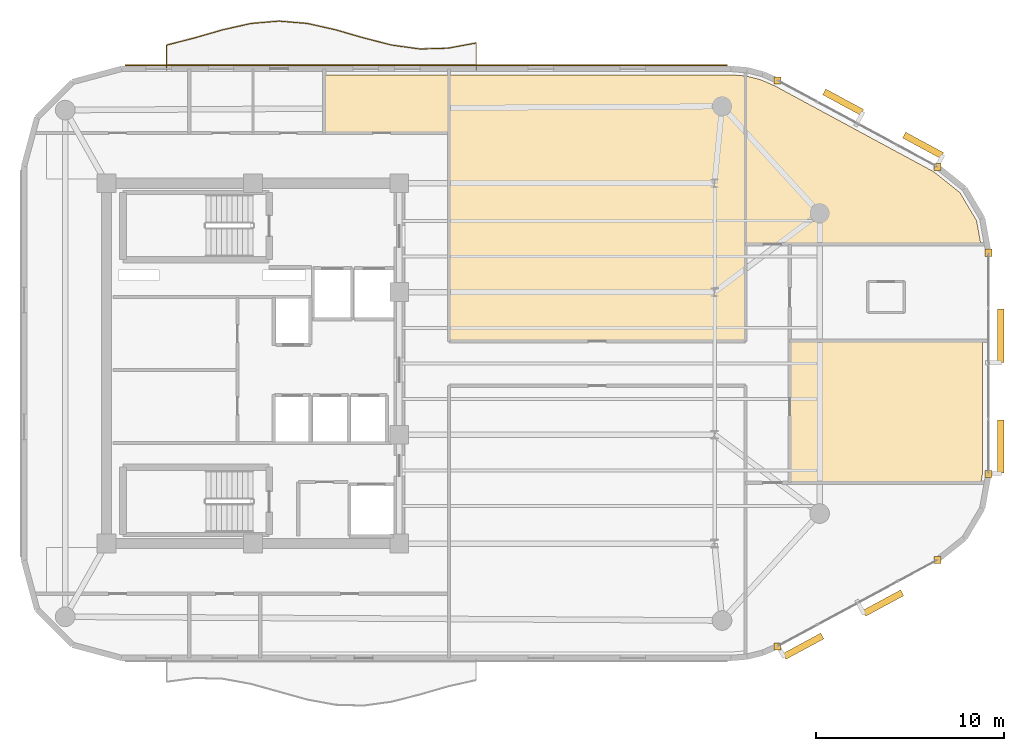
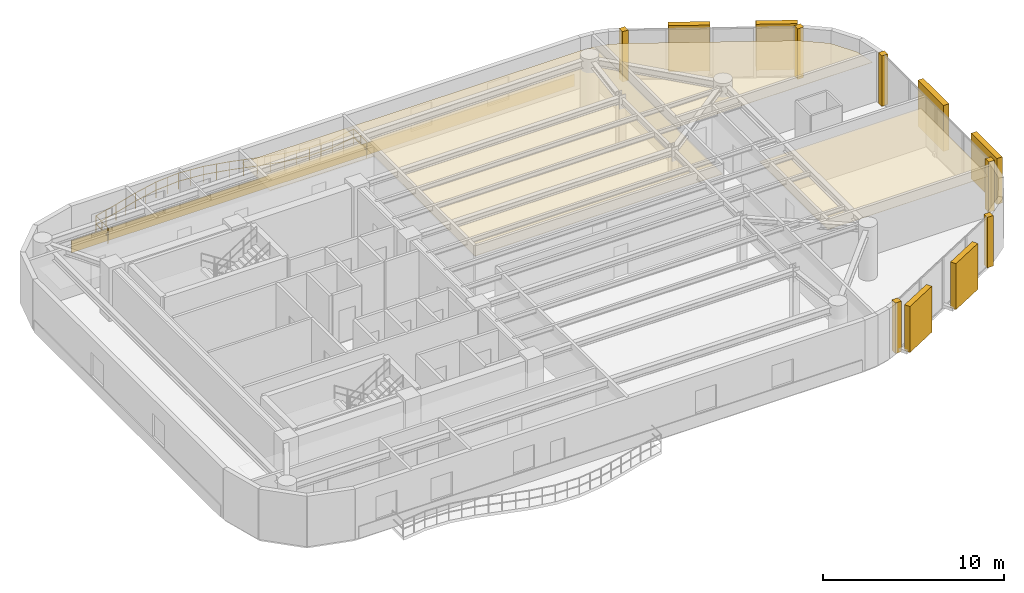
# One storey, part 13 of 13: 11 coverings, 6 shading devices, 1 railing.
"""IFC4 building model written with IfcOpenShell, lengths in metres."""

from ifc_helpers import new_model, si_unit, direction, frame, origin, origin_2d, place, context, subcontext, project, spatial, polyline, rectangle, circle, outline, extrude, material, layer, layer_set, type_object, element, save


model = new_model("IFC4")

# Units and contexts
model_context = context("Model", 3, precision=1e-05, world=origin(), true_north=direction((0.0, 1.0)))
body_context = subcontext(model_context, "Body", "Model", "MODEL_VIEW")
ifc_project = project(units=[si_unit("LENGTHUNIT", "METRE"), si_unit("AREAUNIT", "SQUARE_METRE"), si_unit("VOLUMEUNIT", "CUBIC_METRE"), si_unit("PLANEANGLEUNIT", "RADIAN"), si_unit("MASSUNIT", "GRAM", prefix="KILO")], contexts=[model_context])

# Site, building, storey
site_placement = place(None, origin())
site = spatial("IfcSite", under=ifc_project, at=site_placement, CompositionType="ELEMENT")
building_placement = place(site_placement, origin())
building = spatial("IfcBuilding", under=site, at=building_placement, Name="An Khanh Terracotta Commons", CompositionType="ELEMENT")
storey_placement = place(building_placement, frame((0.0, 0.0, 226.5)))
storey = spatial("IfcBuildingStorey", under=building, at=storey_placement, Name="L59", CompositionType="ELEMENT", Elevation=226.5)

# Coverings
ifc_material_1 = material(Name="Perforated Mineral-Fibre Acoustic Tile")
ifc_layer_1 = layer(ifc_material_1, 0.02001953125, Name="Perforated Mineral-Fibre Acoustic Tile")
ifc_layer_set_1 = layer_set([ifc_layer_1], Name="Perforated Mineral-Fibre Acoustic Tile")
covering_type_1 = type_object("IfcCoveringType", Name="CEIL-ACOUSTIC-18", PredefinedType="CEILING", material=ifc_layer_set_1)
covering_1_placement = place(storey_placement, frame((0.0, 0.0, 2.64990234375)))
element("IfcCovering", 1, at=covering_1_placement, inside=storey, type_object=covering_type_1, Name="L59 Student Reading Library Ceiling", PredefinedType="CEILING", context=body_context, shape_type="SweptSolid", body=[
    extrude(outline(polyline([(54.8720703125, 39.3798828125), (55.64990234375, 39.31494140625), (55.64990234375, 30.35009765625), (55.64990234375, 25.179931640625), (39.85009765625, 25.179931640625), (39.85009765625, 33.820068359375), (39.85009765625, 36.280029296875), (39.85009765625, 39.3798828125), (54.8720703125, 39.3798828125)])), origin(), (0.0, 0.0, 1.0), 0.02001953125),
])
covering_2_placement = place(storey_placement, frame((0.0, 0.0, 2.64990234375)))
element("IfcCovering", 2, at=covering_2_placement, inside=storey, type_object=covering_type_1, Name="L59 Music Practice Hall Ceiling", PredefinedType="CEILING", context=body_context, shape_type="SweptSolid", body=[
    extrude(outline(polyline([(55.68701171875, 39.31201171875), (56.467041015625, 39.114990234375), (57.217041015625, 38.787109375), (65.695068359375, 34.2060546875), (67.074951171875, 33.10205078125), (67.964111328125, 31.610107421875), (68.193115234375, 30.35009765625), (58.0, 30.35009765625), (55.64990234375, 30.35009765625), (55.64990234375, 39.31494140625), (55.68701171875, 39.31201171875)])), origin(), (0.0, 0.0, 1.0), 0.02001953125),
])
covering_3_placement = place(storey_placement, frame((0.0, 0.0, 2.64990234375)))
element("IfcCovering", 3, at=covering_3_placement, inside=storey, type_object=covering_type_1, Name="L59 Riverfront Study Lounge Ceiling", PredefinedType="CEILING", context=body_context, shape_type="SweptSolid", body=[
    extrude(outline(polyline([(68.280029296875, 18.1298828125), (68.193115234375, 17.64990234375), (58.0, 17.64990234375), (58.0, 22.820068359375), (58.0, 25.179931640625), (58.0, 25.199951171875), (68.280029296875, 25.199951171875), (68.280029296875, 18.1298828125)])), origin(), (0.0, 0.0, 1.0), 0.02001953125),
])
covering_4_placement = place(storey_placement, frame((0.0, 0.0, 2.64990234375)))
element("IfcCovering", 4, at=covering_4_placement, inside=storey, type_object=covering_type_1, Name="L59 Academic Seminar Room Ceiling", PredefinedType="CEILING", context=body_context, shape_type="SweptSolid", body=[
    extrude(outline(polyline([(39.85009765625, 39.3798828125), (39.85009765625, 36.280029296875), (37.5, 36.280029296875), (33.199951171875, 36.280029296875), (33.199951171875, 39.35009765625), (33.199951171875, 39.3798828125), (39.85009765625, 39.3798828125)])), origin(), (0.0, 0.0, 1.0), 0.02001953125),
])
ifc_material_2 = material(Name="Fired Terracotta Rainscreen Cladding", Category="masonry")
ifc_layer_2 = layer(ifc_material_2, 0.080078125, Name="Fired Terracotta Rainscreen Cladding")
ifc_layer_set_2 = layer_set([ifc_layer_2], Name="Fired Terracotta Rainscreen Cladding")
covering_type_2 = type_object("IfcCoveringType", Name="COV-JAMB-TERRA", PredefinedType="CLADDING", material=ifc_layer_set_2)
for number, where, z_axis, x_axis, name in (
    (5, (57.35693359375, 8.925048828125, 0.0), (0.0, 0.0, 1.0), (1.0, 0.0, 0.0), "L59 CW-03 Curtain-Wall Jamb Closure JA"),
    (6, (65.8720703125, 13.52587890625, 0.0), (0.0, 0.0, 1.0), (1.0, 0.0, 0.0), "L59 CW-03 Curtain-Wall Jamb Closure JB"),
    (7, (68.60009765625, 18.10107421875, 0.0), (0.0, 0.0, 1.0), (1.0, 0.0, 0.0), "L59 CW-03 Curtain-Wall Jamb Closure JA"),
    (8, (68.60009765625, 29.89892578125, 0.0), (0.0, 0.0, 1.0), (1.0, 0.0, 0.0), "L59 CW-03 Curtain-Wall Jamb Closure JB"),
    (9, (65.8720703125, 34.47412109375, 0.0), (0.0, 0.0, 1.0), (1.0, 0.0, 0.0), "L59 CW-03 Curtain-Wall Jamb Closure JA"),
    (10, (57.35693359375, 39.074951171875, 0.0), (0.0, 0.0, 1.0), (1.0, 0.0, 0.0), "L59 CW-03 Curtain-Wall Jamb Closure JB"),
):
    element("IfcCovering", number, at=place(storey_placement, frame(where, z_axis=z_axis, x_axis=x_axis)), inside=storey, type_object=covering_type_2, Name=name, PredefinedType="CLADDING", context=body_context, shape_type="SweptSolid", body=[
        extrude(rectangle(XDim=0.3798828125, YDim=0.3798828125, at=origin_2d()), origin(), (0.0, 0.0, 1.0), 3.39990234375),
    ])
ifc_layer_3 = layer(ifc_material_2, 0.06005859375, Name="Fired Terracotta Rainscreen Cladding")
ifc_layer_set_3 = layer_set([ifc_layer_3], Name="Fired Terracotta Rainscreen Cladding")
covering_type_3 = type_object("IfcCoveringType", Name="COV-SPANDREL-TERRA", PredefinedType="CLADDING", material=ifc_layer_set_3)
covering_5_placement = place(storey_placement, frame((38.64208984375, 39.8798828125, 0.02001953125), z_axis=(0.0, 0.0, 1.0), x_axis=(-1.0, 0.0, 0.0)))
element("IfcCovering", 11, at=covering_5_placement, inside=storey, type_object=covering_type_3, Name="L59 Terracotta Spandrel Cladding 20", PredefinedType="CLADDING", context=body_context, shape_type="SweptSolid", body=[
    extrude(rectangle(XDim=32.0849609375, YDim=0.06005859375, at=origin_2d()), origin(), (0.0, 0.0, 1.0), 0.800048828125),
])

# Railing
ifc_material_3 = material(Name="Brushed Stainless Steel 316", Category="steel")
railing_type = type_object("IfcRailingType", Name="RAIL-BALUSTRADE-1100", PredefinedType="BALUSTRADE", material=ifc_material_3)
railing_placement = place(storey_placement, frame((41.300048828125, 39.639892578125, 0.0)))
element("IfcRailing", 12, at=railing_placement, inside=storey, type_object=railing_type, Name="L59 N Wave Balcony Guard Balustrade", PredefinedType="BALUSTRADE", context=body_context, shape_type="SweptSolid", body=[
    extrude(circle(Radius=0.02392578125, at=origin_2d()), frame((0.0, 0.0, 1.076171875), z_axis=(0.0, 1.0, 0.0), x_axis=(-1.0, 0.0, 0.0)), (0.0, 0.0, 1.0), 1.43310546875),
    extrude(circle(Radius=0.02392578125, at=origin_2d()), frame((0.0, 0.0, 0.52587890625), z_axis=(0.0, 1.0, 0.0), x_axis=(-1.0, 0.0, 0.0)), (0.0, 0.0, 1.0), 1.43310546875),
    extrude(circle(Radius=0.02392578125, at=origin_2d()), frame((0.0, 1.43310546875, 1.076171875), z_axis=(-0.983504185039, -0.180885372574, 0.0), x_axis=(0.180885372574, -0.983504185039, 0.0)), (0.0, 0.0, 1.0), 1.525146484375),
    extrude(circle(Radius=0.02392578125, at=origin_2d()), frame((0.0, 1.43310546875, 0.52587890625), z_axis=(-0.983504185039, -0.180885372574, 0.0), x_axis=(0.180885372574, -0.983504185039, 0.0)), (0.0, 0.0, 1.0), 1.525146484375),
    extrude(circle(Radius=0.02392578125, at=origin_2d()), frame((-1.5, 1.1572265625, 1.076171875), z_axis=(-0.999585290582, -0.028796646555, 0.0), x_axis=(0.028796646555, -0.999585290582, 0.0)), (0.0, 0.0, 1.0), 1.500732421875),
    extrude(circle(Radius=0.02392578125, at=origin_2d()), frame((-1.5, 1.1572265625, 0.52587890625), z_axis=(-0.999585290582, -0.028796646555, 0.0), x_axis=(0.028796646555, -0.999585290582, 0.0)), (0.0, 0.0, 1.0), 1.500732421875),
    extrude(circle(Radius=0.02392578125, at=origin_2d()), frame((-3.0, 1.114013671875, 1.076171875), z_axis=(-0.990696239711, 0.136091736054, 0.0), x_axis=(-0.136091736054, -0.990696239711, 0.0)), (0.0, 0.0, 1.0), 1.51416015625),
    extrude(circle(Radius=0.02392578125, at=origin_2d()), frame((-3.0, 1.114013671875, 0.52587890625), z_axis=(-0.990696239711, 0.136091736054, 0.0), x_axis=(-0.136091736054, -0.990696239711, 0.0)), (0.0, 0.0, 1.0), 1.51416015625),
    extrude(circle(Radius=0.02392578125, at=origin_2d()), frame((-4.5, 1.320068359375, 1.076171875), z_axis=(-0.968754262999, 0.248022535107, 0.0), x_axis=(-0.248022535107, -0.968754262999, 0.0)), (0.0, 0.0, 1.0), 1.54833984375),
    extrude(circle(Radius=0.02392578125, at=origin_2d()), frame((-4.5, 1.320068359375, 0.52587890625), z_axis=(-0.968754262999, 0.248022535107, 0.0), x_axis=(-0.248022535107, -0.968754262999, 0.0)), (0.0, 0.0, 1.0), 1.54833984375),
    extrude(circle(Radius=0.02392578125, at=origin_2d()), frame((-6.0, 1.7041015625, 1.076171875), z_axis=(-0.960753088359, 0.277404944458, 0.0), x_axis=(-0.277404944458, -0.960753088359, 0.0)), (0.0, 0.0, 1.0), 1.561279296875),
    extrude(circle(Radius=0.02392578125, at=origin_2d()), frame((-6.0, 1.7041015625, 0.52587890625), z_axis=(-0.960753088359, 0.277404944458, 0.0), x_axis=(-0.277404944458, -0.960753088359, 0.0)), (0.0, 0.0, 1.0), 1.561279296875),
    extrude(circle(Radius=0.02392578125, at=origin_2d()), frame((-7.5, 2.13720703125, 1.076171875), z_axis=(-0.975691310659, 0.21914941548, 0.0), x_axis=(-0.21914941548, -0.975691310659, 0.0)), (0.0, 0.0, 1.0), 1.537353515625),
    extrude(circle(Radius=0.02392578125, at=origin_2d()), frame((-7.5, 2.13720703125, 0.52587890625), z_axis=(-0.975691310659, 0.21914941548, 0.0), x_axis=(-0.21914941548, -0.975691310659, 0.0)), (0.0, 0.0, 1.0), 1.537353515625),
    extrude(circle(Radius=0.02392578125, at=origin_2d()), frame((-9.0, 2.47412109375, 1.076171875), z_axis=(-0.996491859681, 0.083689746028, 0.0), x_axis=(-0.083689746028, -0.996491859681, 0.0)), (0.0, 0.0, 1.0), 1.50537109375),
    extrude(circle(Radius=0.02392578125, at=origin_2d()), frame((-9.0, 2.47412109375, 0.52587890625), z_axis=(-0.996491859681, 0.083689746028, 0.0), x_axis=(-0.083689746028, -0.996491859681, 0.0)), (0.0, 0.0, 1.0), 1.50537109375),
    extrude(circle(Radius=0.02392578125, at=origin_2d()), frame((-10.5, 2.60009765625, 1.076171875), z_axis=(-0.996491859681, -0.083689746028, 0.0), x_axis=(0.083689746028, -0.996491859681, 0.0)), (0.0, 0.0, 1.0), 1.50537109375),
    extrude(circle(Radius=0.02392578125, at=origin_2d()), frame((-10.5, 2.60009765625, 0.52587890625), z_axis=(-0.996491859681, -0.083689746028, 0.0), x_axis=(0.083689746028, -0.996491859681, 0.0)), (0.0, 0.0, 1.0), 1.50537109375),
    extrude(circle(Radius=0.02392578125, at=origin_2d()), frame((-12.0, 2.47412109375, 1.076171875), z_axis=(-0.975691310659, -0.21914941548, 0.0), x_axis=(0.21914941548, -0.975691310659, 0.0)), (0.0, 0.0, 1.0), 1.537353515625),
    extrude(circle(Radius=0.02392578125, at=origin_2d()), frame((-12.0, 2.47412109375, 0.52587890625), z_axis=(-0.975691310659, -0.21914941548, 0.0), x_axis=(0.21914941548, -0.975691310659, 0.0)), (0.0, 0.0, 1.0), 1.537353515625),
    extrude(circle(Radius=0.02392578125, at=origin_2d()), frame((-13.5, 2.13720703125, 1.076171875), z_axis=(-0.960753088359, -0.277404944458, 0.0), x_axis=(0.277404944458, -0.960753088359, 0.0)), (0.0, 0.0, 1.0), 1.561279296875),
    extrude(circle(Radius=0.02392578125, at=origin_2d()), frame((-13.5, 2.13720703125, 0.52587890625), z_axis=(-0.960753088359, -0.277404944458, 0.0), x_axis=(0.277404944458, -0.960753088359, 0.0)), (0.0, 0.0, 1.0), 1.561279296875),
    extrude(circle(Radius=0.02392578125, at=origin_2d()), frame((-15.0, 1.7041015625, 1.076171875), z_axis=(-0.968754262999, -0.248022535107, 0.0), x_axis=(0.248022535107, -0.968754262999, 0.0)), (0.0, 0.0, 1.0), 1.54833984375),
    extrude(circle(Radius=0.02392578125, at=origin_2d()), frame((-15.0, 1.7041015625, 0.52587890625), z_axis=(-0.968754262999, -0.248022535107, 0.0), x_axis=(0.248022535107, -0.968754262999, 0.0)), (0.0, 0.0, 1.0), 1.54833984375),
    extrude(circle(Radius=0.02392578125, at=origin_2d()), frame((-16.5, 1.320068359375, 1.076171875), z_axis=(0.0, -1.0, 0.0), x_axis=(1.0, 0.0, 0.0)), (0.0, 0.0, 1.0), 1.320068359375),
    extrude(circle(Radius=0.02392578125, at=origin_2d()), frame((-16.5, 1.320068359375, 0.52587890625), z_axis=(0.0, -1.0, 0.0), x_axis=(1.0, 0.0, 0.0)), (0.0, 0.0, 1.0), 1.320068359375),
    extrude(circle(Radius=0.02099609375, at=origin_2d()), origin(), (0.0, 0.0, 1.0), 1.052001953125),
    extrude(circle(Radius=0.02099609375, at=origin_2d()), frame((0.0, 0.716552734375, 0.0)), (0.0, 0.0, 1.0), 1.052001953125),
    extrude(circle(Radius=0.02099609375, at=origin_2d()), frame((0.0, 1.43310546875, 0.0)), (0.0, 0.0, 1.0), 1.052001953125),
    extrude(circle(Radius=0.02099609375, at=origin_2d()), frame((-0.75, 1.295166015625, 0.0)), (0.0, 0.0, 1.0), 1.052001953125),
    extrude(circle(Radius=0.02099609375, at=origin_2d()), frame((-1.5, 1.1572265625, 0.0)), (0.0, 0.0, 1.0), 1.052001953125),
    extrude(circle(Radius=0.02099609375, at=origin_2d()), frame((-2.25, 1.1357421875, 0.0)), (0.0, 0.0, 1.0), 1.052001953125),
    extrude(circle(Radius=0.02099609375, at=origin_2d()), frame((-3.0, 1.114013671875, 0.0)), (0.0, 0.0, 1.0), 1.052001953125),
    extrude(circle(Radius=0.02099609375, at=origin_2d()), frame((-3.75, 1.217041015625, 0.0)), (0.0, 0.0, 1.0), 1.052001953125),
    extrude(circle(Radius=0.02099609375, at=origin_2d()), frame((-4.5, 1.320068359375, 0.0)), (0.0, 0.0, 1.0), 1.052001953125),
    extrude(circle(Radius=0.02099609375, at=origin_2d()), frame((-5.25, 1.51220703125, 0.0)), (0.0, 0.0, 1.0), 1.052001953125),
    extrude(circle(Radius=0.02099609375, at=origin_2d()), frame((-6.0, 1.7041015625, 0.0)), (0.0, 0.0, 1.0), 1.052001953125),
    extrude(circle(Radius=0.02099609375, at=origin_2d()), frame((-6.75, 1.920654296875, 0.0)), (0.0, 0.0, 1.0), 1.052001953125),
    extrude(circle(Radius=0.02099609375, at=origin_2d()), frame((-7.5, 2.13720703125, 0.0)), (0.0, 0.0, 1.0), 1.052001953125),
    extrude(circle(Radius=0.02099609375, at=origin_2d()), frame((-8.25, 2.3056640625, 0.0)), (0.0, 0.0, 1.0), 1.052001953125),
    extrude(circle(Radius=0.02099609375, at=origin_2d()), frame((-9.0, 2.47412109375, 0.0)), (0.0, 0.0, 1.0), 1.052001953125),
    extrude(circle(Radius=0.02099609375, at=origin_2d()), frame((-9.75, 2.537109375, 0.0)), (0.0, 0.0, 1.0), 1.052001953125),
    extrude(circle(Radius=0.02099609375, at=origin_2d()), frame((-10.5, 2.60009765625, 0.0)), (0.0, 0.0, 1.0), 1.052001953125),
    extrude(circle(Radius=0.02099609375, at=origin_2d()), frame((-11.25, 2.537109375, 0.0)), (0.0, 0.0, 1.0), 1.052001953125),
    extrude(circle(Radius=0.02099609375, at=origin_2d()), frame((-12.0, 2.47412109375, 0.0)), (0.0, 0.0, 1.0), 1.052001953125),
    extrude(circle(Radius=0.02099609375, at=origin_2d()), frame((-12.75, 2.3056640625, 0.0)), (0.0, 0.0, 1.0), 1.052001953125),
    extrude(circle(Radius=0.02099609375, at=origin_2d()), frame((-13.5, 2.13720703125, 0.0)), (0.0, 0.0, 1.0), 1.052001953125),
    extrude(circle(Radius=0.02099609375, at=origin_2d()), frame((-14.25, 1.920654296875, 0.0)), (0.0, 0.0, 1.0), 1.052001953125),
    extrude(circle(Radius=0.02099609375, at=origin_2d()), frame((-15.0, 1.7041015625, 0.0)), (0.0, 0.0, 1.0), 1.052001953125),
    extrude(circle(Radius=0.02099609375, at=origin_2d()), frame((-15.75, 1.51220703125, 0.0)), (0.0, 0.0, 1.0), 1.052001953125),
    extrude(circle(Radius=0.02099609375, at=origin_2d()), frame((-16.5, 1.320068359375, 0.0)), (0.0, 0.0, 1.0), 1.052001953125),
    extrude(circle(Radius=0.02099609375, at=origin_2d()), frame((-16.5, 0.66015625, 0.0)), (0.0, 0.0, 1.0), 1.052001953125),
    extrude(circle(Radius=0.02099609375, at=origin_2d()), frame((-16.5, 0.0, 0.0)), (0.0, 0.0, 1.0), 1.052001953125),
])

# Shading devices
ifc_material_4 = material(Name="Extruded Fired Terracotta", Category="masonry")
shading_device_type = type_object("IfcShadingDeviceType", Name="Terracotta Baguette Screen Assembly", PredefinedType="USERDEFINED", material=ifc_material_4)
for number, where, z_axis, x_axis, name in (
    (13, (58.72998046875, 8.927978515625, 0.14990234375), (0.0, 0.0, 1.0), (0.879780095306, 0.47538088298, 0.0), "L59 Terracotta Baguette Screen 1"),
    (14, (62.988037109375, 11.22900390625, 0.14990234375), (0.0, 0.0, 1.0), (0.879780095306, 0.47538088298, 0.0), "L59 Terracotta Baguette Screen 3"),
):
    element("IfcShadingDevice", number, at=place(storey_placement, frame(where, z_axis=z_axis, x_axis=x_axis)), inside=storey, type_object=shading_device_type, Name=name, ObjectType="BAGUETTE", PredefinedType="USERDEFINED", context=body_context, shape_type="SweptSolid", body=[
        extrude(rectangle(XDim=2.300048828125, YDim=0.35009765625, at=origin_2d()), origin(), (0.0, 0.0, 1.0), 3.10009765625),
    ])
for number, where, z_axis, x_axis, name in (
    (15, (69.25, 19.575927734375, 0.14990234375), (0.0, 0.0, 1.0), (0.0, 1.0, 0.0), "L59 Terracotta Baguette Screen 1"),
    (16, (69.25, 25.47509765625, 0.14990234375), (0.0, 0.0, 1.0), (0.0, 1.0, 0.0), "L59 Terracotta Baguette Screen 3"),
):
    element("IfcShadingDevice", number, at=place(storey_placement, frame(where, z_axis=z_axis, x_axis=x_axis)), inside=storey, type_object=shading_device_type, Name=name, ObjectType="BAGUETTE", PredefinedType="USERDEFINED", context=body_context, shape_type="SweptSolid", body=[
        extrude(rectangle(XDim=2.830078125, YDim=0.35009765625, at=origin_2d()), origin(), (0.0, 0.0, 1.0), 3.10009765625),
    ])
for number, where, z_axis, x_axis, name in (
    (17, (65.116943359375, 35.62109375, 0.14990234375), (0.0, 0.0, 1.0), (-0.879780095306, 0.47538088298, 0.0), "L59 Terracotta Baguette Screen 1"),
    (18, (60.85888671875, 37.9208984375, 0.14990234375), (0.0, 0.0, 1.0), (-0.879780095306, 0.47538088298, 0.0), "L59 Terracotta Baguette Screen 3"),
):
    element("IfcShadingDevice", number, at=place(storey_placement, frame(where, z_axis=z_axis, x_axis=x_axis)), inside=storey, type_object=shading_device_type, Name=name, ObjectType="BAGUETTE", PredefinedType="USERDEFINED", context=body_context, shape_type="SweptSolid", body=[
        extrude(rectangle(XDim=2.300048828125, YDim=0.35009765625, at=origin_2d()), origin(), (0.0, 0.0, 1.0), 3.10009765625),
    ])

save(model, "model.ifc")
